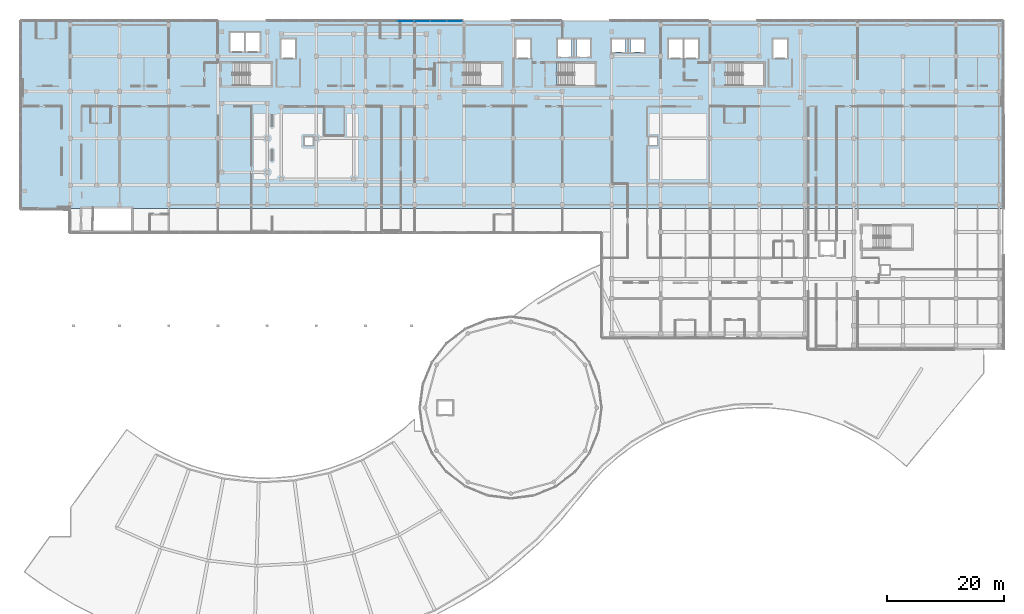
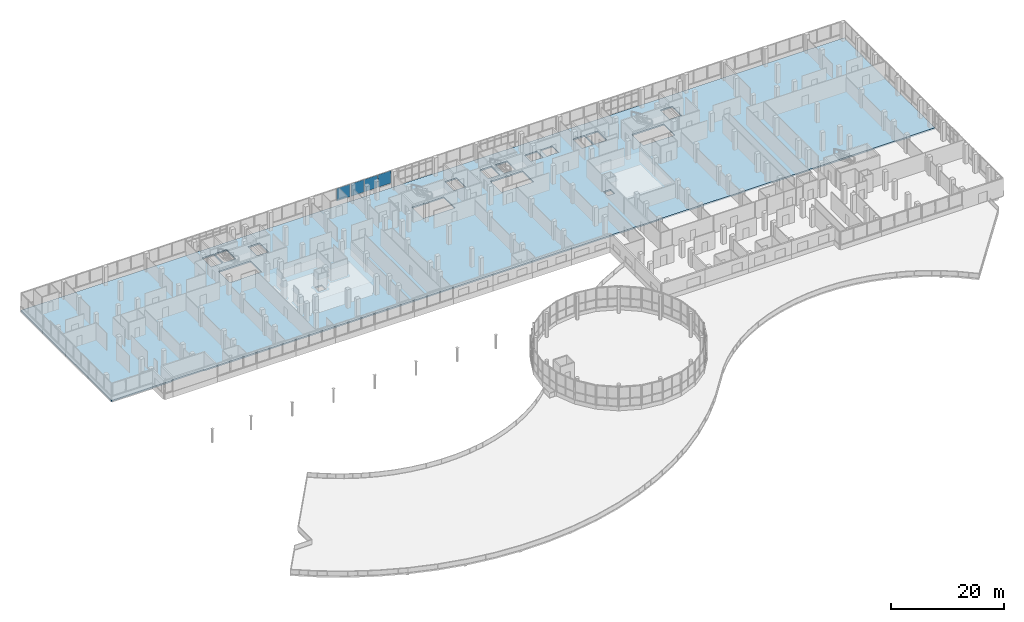
# One storey, part 78 of 101: 4 plates, 1 slab, 2 elements without a shape of their own.
"""IFC4 building model written with IfcOpenShell, lengths in metres."""

from ifc_helpers import new_model, si_unit, direction, frame, origin, origin_2d, place, context, subcontext, project, spatial, polyline, rectangle, outline, extrude, material, layer, layer_set, type_object, element, aggregate, save


model = new_model("IFC4")

# Units and contexts
model_context = context("Model", 3, precision=1e-05, world=origin(), true_north=direction((0.0, 1.0)))
body_context = subcontext(model_context, "Body", "Model", "MODEL_VIEW")
ifc_project = project(units=[si_unit("LENGTHUNIT", "METRE"), si_unit("AREAUNIT", "SQUARE_METRE"), si_unit("VOLUMEUNIT", "CUBIC_METRE"), si_unit("PLANEANGLEUNIT", "RADIAN"), si_unit("MASSUNIT", "GRAM", prefix="KILO")], contexts=[model_context])

# Site, building, storey
site_placement = place(None, origin())
site = spatial("IfcSite", under=ifc_project, at=site_placement, CompositionType="ELEMENT")
building_placement = place(site_placement, origin())
building = spatial("IfcBuilding", under=site, at=building_placement, Name="Selatvlak General Hospital", CompositionType="ELEMENT")
storey_placement = place(building_placement, frame((0.0, 0.0, 19.199951171875)))
storey = spatial("IfcBuildingStorey", under=building, at=storey_placement, Name="L04", CompositionType="ELEMENT", Elevation=19.199951171875)

# Curtain wall, plate
ifc_material_1 = material(Name="Solar-control Low-E double glazing", Category="glass")
curtain_wall_type_1 = type_object("IfcCurtainWallType", Name="CW-CW-01", PredefinedType="USERDEFINED", material=ifc_material_1)
curtain_wall_1_placement = place(storey_placement, origin())
curtain_wall_1 = element("IfcCurtainWall", 1, at=curtain_wall_1_placement, inside=storey, type_object=curtain_wall_type_1, Name="Glazed facade curtain wall CW-L04-0487", ObjectType="UNITISED CURTAIN WALL", PredefinedType="USERDEFINED")
ifc_layer_1 = layer(ifc_material_1, 0.028076171875, Name="Solar-control Low-E double glazing", Category="glass")
ifc_layer_set_1 = layer_set([ifc_layer_1], Name="Solar-control Low-E double glazing")
plate_type = type_object("IfcPlateType", Name="CWP-01", PredefinedType="CURTAIN_PANEL", material=ifc_layer_set_1)
plate_1_placement = place(storey_placement, frame((80.025390625, 119.9990234375, 1.0048828125), z_axis=(0.0, 0.0, 1.0), x_axis=(1.0, 0.0, 0.0)))
plate_1 = element("IfcPlate", 2, at=plate_1_placement, type_object=plate_type, Name="CW-01 panel 3.1", PredefinedType="CURTAIN_PANEL", context=body_context, shape_type="SweptSolid", body=[
    extrude(rectangle(XDim=2.669189453125, YDim=0.028076171875, at=origin_2d()), origin(), (0.0, 0.0, 1.0), 2.699951171875),
])
aggregate(curtain_wall_1, [plate_1])

# Curtain wall, plates
curtain_wall_type_2 = type_object("IfcCurtainWallType", Name="CW-CW-02", PredefinedType="USERDEFINED", material=ifc_material_1)
curtain_wall_2_placement = place(storey_placement, origin())
curtain_wall_2 = element("IfcCurtainWall", 3, at=curtain_wall_2_placement, inside=storey, type_object=curtain_wall_type_2, Name="Glazed facade curtain wall CW-L04-0488", ObjectType="UNITISED CURTAIN WALL", PredefinedType="USERDEFINED")
plate_2_placement = place(storey_placement, frame((82.904541015625, 119.9990234375, 1.0048828125), z_axis=(0.0, 0.0, 1.0), x_axis=(1.0, 0.0, 0.0)))
plate_2 = element("IfcPlate", 4, at=plate_2_placement, type_object=plate_type, Name="CW-02 panel 1.1", PredefinedType="CURTAIN_PANEL", context=body_context, shape_type="SweptSolid", body=[
    extrude(rectangle(XDim=2.669189453125, YDim=0.028076171875, at=origin_2d()), origin(), (0.0, 0.0, 1.0), 2.699951171875),
])
plate_3_placement = place(storey_placement, frame((85.655029296875, 119.9990234375, 1.0048828125), z_axis=(0.0, 0.0, 1.0), x_axis=(1.0, 0.0, 0.0)))
plate_3 = element("IfcPlate", 5, at=plate_3_placement, type_object=plate_type, Name="CW-02 panel 2.1", PredefinedType="CURTAIN_PANEL", context=body_context, shape_type="SweptSolid", body=[
    extrude(rectangle(XDim=2.70166015625, YDim=0.028076171875, at=origin_2d()), origin(), (0.0, 0.0, 1.0), 2.699951171875),
])
plate_4_placement = place(storey_placement, frame((88.405517578125, 119.9990234375, 1.0048828125), z_axis=(0.0, 0.0, 1.0), x_axis=(1.0, 0.0, 0.0)))
plate_4 = element("IfcPlate", 6, at=plate_4_placement, type_object=plate_type, Name="CW-02 panel 3.1", PredefinedType="CURTAIN_PANEL", context=body_context, shape_type="SweptSolid", body=[
    extrude(rectangle(XDim=2.669189453125, YDim=0.028076171875, at=origin_2d()), origin(), (0.0, 0.0, 1.0), 2.699951171875),
])
aggregate(curtain_wall_2, [plate_2, plate_3, plate_4])

# Slab
ifc_material_2 = material(Name="Concrete C40/50", Category="concrete")
ifc_layer_2 = layer(ifc_material_2, 0.304931640625, Name="Concrete C40/50", Category="concrete")
ifc_layer_set_2 = layer_set([ifc_layer_2], Name="Concrete C40/50")
slab_type = type_object("IfcSlabType", Name="SLAB-SL-FL4", PredefinedType="FLOOR", material=ifc_layer_set_2)
slab_placement = place(storey_placement, frame((0.0, 0.0, -0.304931640625)))
element("IfcSlab", 7, at=slab_placement, inside=storey, type_object=slab_type, Name="L04 V5N structural slab", PredefinedType="FLOOR", context=body_context, shape_type="SweptSolid", body=[
    extrude(outline(polyline([(33.199951171875, 88.008056640625), (33.199951171875, 88.139892578125), (26.705078125, 88.139892578125), (26.705078125, 88.008056640625), (14.39990234375, 88.0), (14.39990234375, 120.0), (182.0, 120.0), (182.0, 88.0), (33.199951171875, 88.008056640625)]), holes=[polyline([(57.050048828125, 112.93994140625), (50.554931640625, 112.93994140625), (50.554931640625, 109.0), (57.050048828125, 109.0), (57.050048828125, 112.93994140625)]), polyline([(96.39990234375, 109.0), (96.39990234375, 112.93994140625), (89.905029296875, 112.93994140625), (89.905029296875, 109.0), (96.39990234375, 109.0)]), polyline([(105.905029296875, 109.0), (112.39990234375, 109.0), (112.39990234375, 112.93994140625), (105.905029296875, 112.93994140625), (105.905029296875, 109.0)]), polyline([(134.705078125, 112.93994140625), (134.705078125, 109.0), (141.199951171875, 109.0), (141.199951171875, 112.93994140625), (134.705078125, 112.93994140625)]), polyline([(61.199951171875, 116.89990234375), (58.800048828125, 116.89990234375), (58.800048828125, 113.699951171875), (61.199951171875, 113.699951171875), (61.199951171875, 116.89990234375)]), polyline([(101.300048828125, 113.699951171875), (101.300048828125, 116.89990234375), (98.89990234375, 116.89990234375), (98.89990234375, 113.699951171875), (101.300048828125, 113.699951171875)]), polyline([(142.800048828125, 113.699951171875), (145.199951171875, 113.699951171875), (145.199951171875, 116.89990234375), (142.800048828125, 116.89990234375), (142.800048828125, 113.699951171875)]), polyline([(50.10009765625, 118.0), (50.10009765625, 114.800048828125), (52.5, 114.800048828125), (52.5, 118.0), (50.10009765625, 118.0)]), polyline([(55.14990234375, 118.0), (52.75, 118.0), (52.75, 114.800048828125), (55.14990234375, 114.800048828125), (55.14990234375, 118.0)]), polyline([(127.35009765625, 113.699951171875), (127.35009765625, 116.89990234375), (124.949951171875, 116.89990234375), (124.949951171875, 113.699951171875), (127.35009765625, 113.699951171875)]), polyline([(127.60009765625, 113.699951171875), (130.0, 113.699951171875), (130.0, 116.89990234375), (127.60009765625, 116.89990234375), (127.60009765625, 113.699951171875)]), polyline([(115.199951171875, 116.89990234375), (115.199951171875, 114.699951171875), (117.60009765625, 114.699951171875), (117.60009765625, 116.89990234375), (115.199951171875, 116.89990234375)]), polyline([(120.800048828125, 116.89990234375), (118.39990234375, 116.89990234375), (118.39990234375, 114.699951171875), (120.800048828125, 114.699951171875), (120.800048828125, 116.89990234375)]), polyline([(108.39990234375, 113.89990234375), (108.39990234375, 116.89990234375), (106.0, 116.89990234375), (106.0, 113.89990234375), (108.39990234375, 113.89990234375)]), polyline([(109.199951171875, 113.89990234375), (111.60009765625, 113.89990234375), (111.60009765625, 116.89990234375), (109.199951171875, 116.89990234375), (109.199951171875, 113.89990234375)]), polyline([(62.800048828125, 100.199951171875), (62.800048828125, 98.800048828125), (64.199951171875, 98.800048828125), (64.199951171875, 100.199951171875), (62.800048828125, 100.199951171875)]), polyline([(123.0, 100.199951171875), (121.60009765625, 100.199951171875), (121.60009765625, 98.800048828125), (123.0, 98.800048828125), (123.0, 100.199951171875)])]), origin(), (0.0, 0.0, 1.0), 0.304931640625),
])

save(model, "model.ifc")
